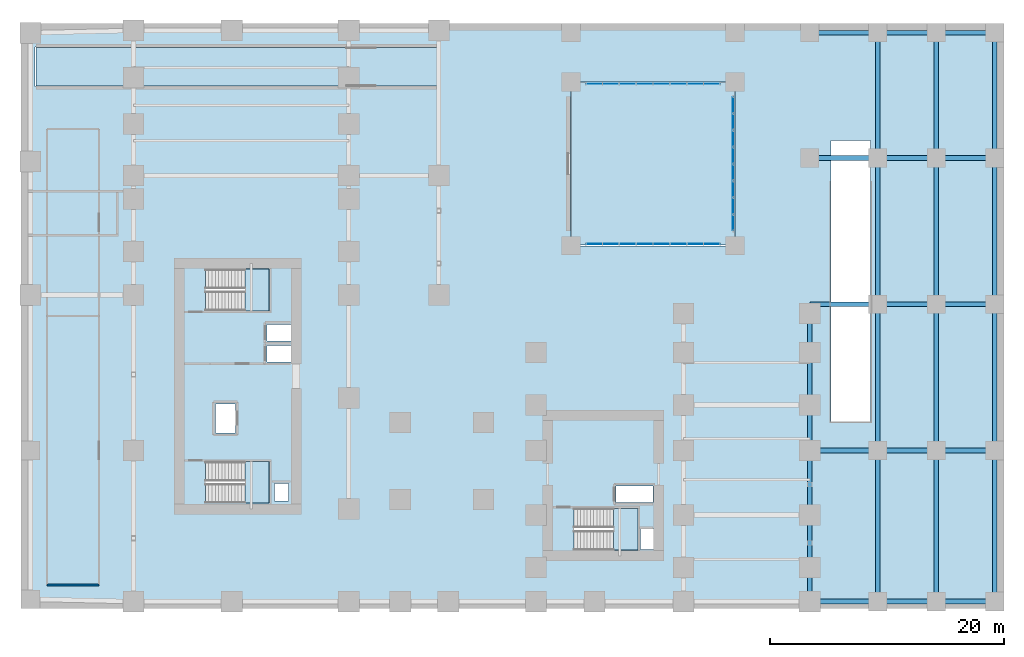
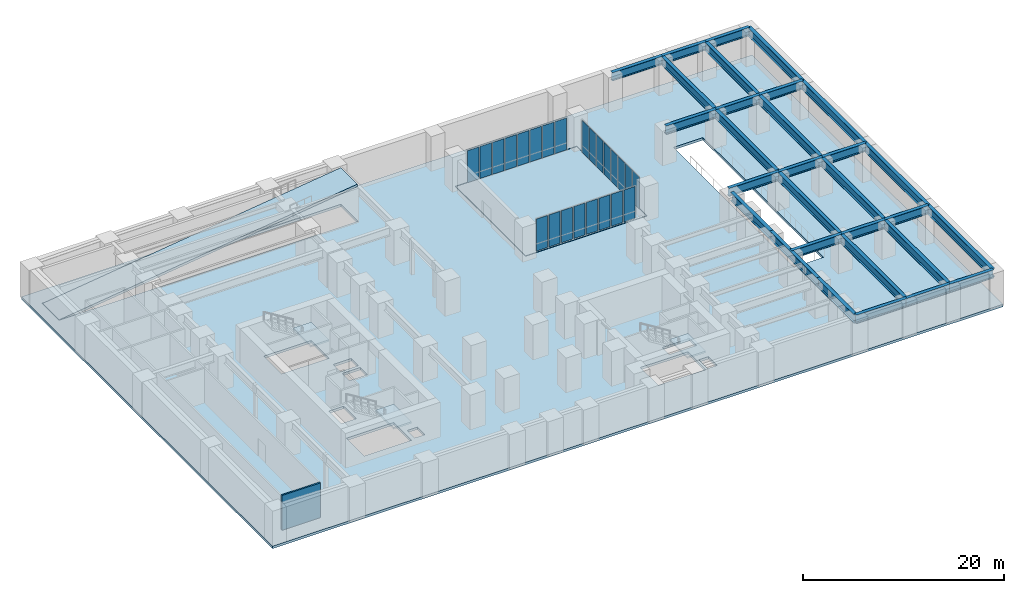
# One storey, part 12 of 18: 30 beams, 24 plates, 6 slabs, 1 wall, 6 elements without a shape of their own.
"""IFC4 building model written with IfcOpenShell, lengths in metres."""

from ifc_helpers import new_model, si_unit, direction, frame, frame_2d, origin, origin_2d, place, context, subcontext, project, spatial, polyline, rectangle, i_section, outline, extrude, source, transform, mapped, material, layer, layer_set, material_profile, profile_set, type_object, element, aggregate, save


model = new_model("IFC4")

# Units and contexts
model_context = context("Model", 3, precision=1e-05, world=origin(), true_north=direction((0.0, 1.0)))
body_context = subcontext(model_context, "Body", "Model", "MODEL_VIEW")
ifc_project = project(units=[si_unit("LENGTHUNIT", "METRE"), si_unit("AREAUNIT", "SQUARE_METRE"), si_unit("VOLUMEUNIT", "CUBIC_METRE"), si_unit("PLANEANGLEUNIT", "RADIAN"), si_unit("MASSUNIT", "GRAM", prefix="KILO")], contexts=[model_context])

# Site, building, storey
site_placement = place(None, origin())
site = spatial("IfcSite", under=ifc_project, at=site_placement, CompositionType="ELEMENT")
building_placement = place(site_placement, origin())
building = spatial("IfcBuilding", under=site, at=building_placement, Name="Kharzan Plaza Tower", CompositionType="ELEMENT")
storey_placement = place(building_placement, frame((0.0, 0.0, -4.5)))
storey = spatial("IfcBuildingStorey", under=building, at=storey_placement, Name="B01", CompositionType="ELEMENT", Elevation=-4.5)

# Beams
ifc_material_1 = material(Name="Steel S355", Category="steel")
ifc_material_profile = material_profile(ifc_material_1, i_section(OverallWidth=0.402099609375, OverallDepth=1.02099609375, WebThickness=0.02099609375, FlangeThickness=0.037109375, at=origin_2d()), Name="W1000x412")
ifc_profile_set = profile_set([ifc_material_profile], Name="Steel S355")
beam_type = type_object("IfcBeamType", Name="BM-PG1000A", PredefinedType="BEAM", material=ifc_profile_set)
shared_shape_1 = source(origin(), body_context, "Body", "SweptSolid", [
    extrude(i_section(OverallWidth=0.402099609375, OverallDepth=1.02099609375, WebThickness=0.02099609375, FlangeThickness=0.037109375, at=origin_2d()), origin(), (0.0, 0.0, 1.0), 5.800048828125),
])
for number, where, z_axis, x_axis, name in (
    (1, (58.39990234375, 0.60009765625, 3.7294921875), (1.0, 0.0, 0.0), (0.0, 1.0, 0.0), "B01 Substructure East Girder"),
    (2, (58.39990234375, 13.5, 3.7294921875), (1.0, 0.0, 0.0), (0.0, 1.0, 0.0), "B01 Substructure East Girder"),
    (3, (58.39990234375, 26.0, 3.7294921875), (1.0, 0.0, 0.0), (0.0, 1.0, 0.0), "B01 Substructure East Girder"),
    (4, (58.39990234375, 38.5, 3.7294921875), (1.0, 0.0, 0.0), (0.0, 1.0, 0.0), "B01 Substructure East Girder"),
    (5, (58.39990234375, 49.199951171875, 3.7294921875), (1.0, 0.0, 0.0), (0.0, 1.0, 0.0), "B01 Substructure East Girder"),
):
    element("IfcBeam", number, at=place(storey_placement, frame(where, z_axis=z_axis, x_axis=x_axis)), inside=storey, type_object=beam_type, Name=name, PredefinedType="BEAM", context=body_context, shape_type="MappedRepresentation", body=[
        mapped(shared_shape_1, transform((0.0, 0.0, 0.0), x_axis=(1.0, 0.0, 0.0), y_axis=(0.0, 1.0, 0.0), z_axis=(0.0, 0.0, 1.0))),
    ])
shared_shape_2 = source(origin(), body_context, "Body", "SweptSolid", [
    extrude(i_section(OverallWidth=0.402099609375, OverallDepth=1.02099609375, WebThickness=0.02099609375, FlangeThickness=0.037109375, at=origin_2d()), origin(), (0.0, 0.0, 1.0), 5.0),
])
for number, where, z_axis, x_axis, name in (
    (6, (64.199951171875, 0.60009765625, 3.7294921875), (1.0, 0.0, 0.0), (0.0, 1.0, 0.0), "B01 Substructure Forecourt Girder"),
    (7, (64.199951171875, 13.5, 3.7294921875), (1.0, 0.0, 0.0), (0.0, 1.0, 0.0), "B01 Substructure Forecourt Girder"),
    (8, (64.199951171875, 26.0, 3.7294921875), (1.0, 0.0, 0.0), (0.0, 1.0, 0.0), "B01 Substructure Forecourt Girder"),
    (9, (64.199951171875, 38.5, 3.7294921875), (1.0, 0.0, 0.0), (0.0, 1.0, 0.0), "B01 Substructure Forecourt Girder"),
    (10, (64.199951171875, 49.199951171875, 3.7294921875), (1.0, 0.0, 0.0), (0.0, 1.0, 0.0), "B01 Substructure Forecourt Girder"),
    (11, (69.199951171875, 0.60009765625, 3.7294921875), (1.0, 0.0, 0.0), (0.0, 1.0, 0.0), "B01 Substructure Forecourt Outer Girder"),
    (12, (69.199951171875, 13.5, 3.7294921875), (1.0, 0.0, 0.0), (0.0, 1.0, 0.0), "B01 Substructure Forecourt Outer Girder"),
    (13, (69.199951171875, 26.0, 3.7294921875), (1.0, 0.0, 0.0), (0.0, 1.0, 0.0), "B01 Substructure Forecourt Outer Girder"),
    (14, (69.199951171875, 38.5, 3.7294921875), (1.0, 0.0, 0.0), (0.0, 1.0, 0.0), "B01 Substructure Forecourt Outer Girder"),
    (15, (69.199951171875, 49.199951171875, 3.7294921875), (1.0, 0.0, 0.0), (0.0, 1.0, 0.0), "B01 Substructure Forecourt Outer Girder"),
):
    element("IfcBeam", number, at=place(storey_placement, frame(where, z_axis=z_axis, x_axis=x_axis)), inside=storey, type_object=beam_type, Name=name, PredefinedType="BEAM", context=body_context, shape_type="MappedRepresentation", body=[
        mapped(shared_shape_2, transform((0.0, 0.0, 0.0), x_axis=(1.0, 0.0, 0.0), y_axis=(0.0, 1.0, 0.0), z_axis=(0.0, 0.0, 1.0))),
    ])
shared_shape_3 = source(origin(), body_context, "Body", "SweptSolid", [
    extrude(i_section(OverallWidth=0.402099609375, OverallDepth=1.02099609375, WebThickness=0.02099609375, FlangeThickness=0.037109375, at=origin_2d()), origin(), (0.0, 0.0, 1.0), 12.89990234375),
])
for number, where, z_axis, x_axis, name in (
    (16, (64.199951171875, 0.60009765625, 3.7294921875), (0.0, 1.0, 0.0), (-1.0, 0.0, 0.0), "B01 Substructure Forecourt Tie Girder"),
    (17, (69.199951171875, 0.60009765625, 3.7294921875), (0.0, 1.0, 0.0), (-1.0, 0.0, 0.0), "B01 Substructure Forecourt Tie Girder"),
    (18, (74.199951171875, 0.60009765625, 3.7294921875), (0.0, 1.0, 0.0), (-1.0, 0.0, 0.0), "B01 Substructure Forecourt Tie Girder"),
):
    element("IfcBeam", number, at=place(storey_placement, frame(where, z_axis=z_axis, x_axis=x_axis)), inside=storey, type_object=beam_type, Name=name, PredefinedType="BEAM", context=body_context, shape_type="MappedRepresentation", body=[
        mapped(shared_shape_3, transform((0.0, 0.0, 0.0), x_axis=(1.0, 0.0, 0.0), y_axis=(0.0, 1.0, 0.0), z_axis=(0.0, 0.0, 1.0))),
    ])
shared_shape_4 = source(origin(), body_context, "Body", "SweptSolid", [
    extrude(i_section(OverallWidth=0.402099609375, OverallDepth=1.02099609375, WebThickness=0.02099609375, FlangeThickness=0.037109375, at=origin_2d()), origin(), (0.0, 0.0, 1.0), 12.5),
])
for number, where, z_axis, x_axis, name in (
    (19, (64.199951171875, 13.5, 3.7294921875), (0.0, 1.0, 0.0), (-1.0, 0.0, 0.0), "B01 Substructure Forecourt Tie Girder"),
    (20, (64.199951171875, 26.0, 3.7294921875), (0.0, 1.0, 0.0), (-1.0, 0.0, 0.0), "B01 Substructure Forecourt Tie Girder"),
    (21, (69.199951171875, 13.5, 3.7294921875), (0.0, 1.0, 0.0), (-1.0, 0.0, 0.0), "B01 Substructure Forecourt Tie Girder"),
    (22, (69.199951171875, 26.0, 3.7294921875), (0.0, 1.0, 0.0), (-1.0, 0.0, 0.0), "B01 Substructure Forecourt Tie Girder"),
    (23, (74.199951171875, 13.5, 3.7294921875), (0.0, 1.0, 0.0), (-1.0, 0.0, 0.0), "B01 Substructure Forecourt Tie Girder"),
    (24, (74.199951171875, 26.0, 3.7294921875), (0.0, 1.0, 0.0), (-1.0, 0.0, 0.0), "B01 Substructure Forecourt Tie Girder"),
):
    element("IfcBeam", number, at=place(storey_placement, frame(where, z_axis=z_axis, x_axis=x_axis)), inside=storey, type_object=beam_type, Name=name, PredefinedType="BEAM", context=body_context, shape_type="MappedRepresentation", body=[
        mapped(shared_shape_4, transform((0.0, 0.0, 0.0), x_axis=(1.0, 0.0, 0.0), y_axis=(0.0, 1.0, 0.0), z_axis=(0.0, 0.0, 1.0))),
    ])
shared_shape_5 = source(origin(), body_context, "Body", "SweptSolid", [
    extrude(i_section(OverallWidth=0.402099609375, OverallDepth=1.02099609375, WebThickness=0.02099609375, FlangeThickness=0.037109375, at=origin_2d()), origin(), (0.0, 0.0, 1.0), 10.699951171875),
])
for number, where, z_axis, x_axis, name in (
    (25, (64.199951171875, 38.5, 3.7294921875), (0.0, 1.0, 0.0), (-1.0, 0.0, 0.0), "B01 Substructure Forecourt Tie Girder"),
    (26, (69.199951171875, 38.5, 3.7294921875), (0.0, 1.0, 0.0), (-1.0, 0.0, 0.0), "B01 Substructure Forecourt Tie Girder"),
    (27, (74.199951171875, 38.5, 3.7294921875), (0.0, 1.0, 0.0), (-1.0, 0.0, 0.0), "B01 Substructure Forecourt Tie Girder"),
):
    element("IfcBeam", number, at=place(storey_placement, frame(where, z_axis=z_axis, x_axis=x_axis)), inside=storey, type_object=beam_type, Name=name, PredefinedType="BEAM", context=body_context, shape_type="MappedRepresentation", body=[
        mapped(shared_shape_5, transform((0.0, 0.0, 0.0), x_axis=(1.0, 0.0, 0.0), y_axis=(0.0, 1.0, 0.0), z_axis=(0.0, 0.0, 1.0))),
    ])
shared_shape_6 = source(origin(), body_context, "Body", "SweptSolid", [
    extrude(i_section(OverallWidth=0.402099609375, OverallDepth=1.02099609375, WebThickness=0.02099609375, FlangeThickness=0.037109375, at=origin_2d()), origin(), (0.0, 0.0, 1.0), 7.39990234375),
])
beam_1_placement = place(storey_placement, frame((58.39990234375, 0.60009765625, 3.7294921875), z_axis=(0.0, 1.0, 0.0), x_axis=(-1.0, 0.0, 0.0)))
element("IfcBeam", 28, at=beam_1_placement, inside=storey, type_object=beam_type, Name="B01 Podium Primary Girder PG-25", PredefinedType="BEAM", context=body_context, shape_type="MappedRepresentation", body=[
    mapped(shared_shape_6, transform((0.0, 0.0, 0.0), x_axis=(1.0, 0.0, 0.0), y_axis=(0.0, 1.0, 0.0), z_axis=(0.0, 0.0, 1.0))),
])
shared_shape_7 = source(origin(), body_context, "Body", "SweptSolid", [
    extrude(i_section(OverallWidth=0.402099609375, OverallDepth=1.02099609375, WebThickness=0.02099609375, FlangeThickness=0.037109375, at=origin_2d()), origin(), (0.0, 0.0, 1.0), 9.39990234375),
])
beam_2_placement = place(storey_placement, frame((58.39990234375, 8.0, 3.7294921875), z_axis=(0.0, 1.0, 0.0), x_axis=(-1.0, 0.0, 0.0)))
element("IfcBeam", 29, at=beam_2_placement, inside=storey, type_object=beam_type, Name="B01 Podium Primary Girder PG-26", PredefinedType="BEAM", context=body_context, shape_type="MappedRepresentation", body=[
    mapped(shared_shape_7, transform((0.0, 0.0, 0.0), x_axis=(1.0, 0.0, 0.0), y_axis=(0.0, 1.0, 0.0), z_axis=(0.0, 0.0, 1.0))),
])
shared_shape_8 = source(origin(), body_context, "Body", "SweptSolid", [
    extrude(i_section(OverallWidth=0.402099609375, OverallDepth=1.02099609375, WebThickness=0.02099609375, FlangeThickness=0.037109375, at=origin_2d()), origin(), (0.0, 0.0, 1.0), 7.800048828125),
])
beam_3_placement = place(storey_placement, frame((58.39990234375, 17.39990234375, 3.7294921875), z_axis=(0.0, 1.0, 0.0), x_axis=(-1.0, 0.0, 0.0)))
element("IfcBeam", 30, at=beam_3_placement, inside=storey, type_object=beam_type, Name="B01 Podium Primary Girder PG-27", PredefinedType="BEAM", context=body_context, shape_type="MappedRepresentation", body=[
    mapped(shared_shape_8, transform((0.0, 0.0, 0.0), x_axis=(1.0, 0.0, 0.0), y_axis=(0.0, 1.0, 0.0), z_axis=(0.0, 0.0, 1.0))),
])

# Slab
ifc_material_2 = material(Name="Concrete C40/50", Category="concrete")
ifc_layer_1 = layer(ifc_material_2, 0.300048828125)
ifc_layer_set_1 = layer_set([ifc_layer_1], Name="Concrete C40/50")
slab_type_1 = type_object("IfcSlabType", Name="SL-FLOOR-300", PredefinedType="FLOOR", material=ifc_layer_set_1)
slab_1_placement = place(storey_placement, frame((0.0, 0.0, -0.300048828125)))
element("IfcSlab", 31, at=slab_1_placement, inside=storey, type_object=slab_type_1, Name="B01 Composite Structural Floor Slab 300 mm", PredefinedType="FLOOR", context=body_context, shape_type="SweptSolid", body=[
    extrude(outline(polyline([(-9.0, 0.0), (75.0, 0.0), (75.0, 50.0), (-9.0, 50.0), (-9.0, 0.0)]), holes=[polyline([(12.199951171875, 12.550048828125), (6.75, 12.550048828125), (6.75, 9.0), (12.199951171875, 9.0), (12.199951171875, 12.550048828125)]), polyline([(9.300048828125, 15.0), (9.300048828125, 17.5), (7.60009765625, 17.5), (7.60009765625, 15.0), (9.300048828125, 15.0)]), polyline([(14.10009765625, 21.070068359375), (14.10009765625, 22.489990234375), (12.0, 22.489990234375), (12.0, 21.070068359375), (14.10009765625, 21.070068359375)]), polyline([(14.10009765625, 24.2900390625), (12.0, 24.2900390625), (12.0, 22.8701171875), (14.10009765625, 22.8701171875), (14.10009765625, 24.2900390625)]), polyline([(12.199951171875, 25.449951171875), (12.199951171875, 29.0), (6.75, 29.0), (6.75, 25.449951171875), (12.199951171875, 25.449951171875)]), polyline([(26.60009765625, 44.60009765625), (26.60009765625, 48.0), (-7.800048828125, 48.0), (-7.800048828125, 44.60009765625), (26.60009765625, 44.60009765625)]), polyline([(45.050048828125, 6.800048828125), (43.949951171875, 6.800048828125), (43.949951171875, 5.050048828125), (45.050048828125, 5.050048828125), (45.050048828125, 6.800048828125)]), polyline([(43.699951171875, 5.0), (43.699951171875, 8.550048828125), (38.25, 8.550048828125), (38.25, 5.0), (43.699951171875, 5.0)]), polyline([(45.0, 9.070068359375), (45.0, 10.469970703125), (41.85009765625, 10.469970703125), (41.85009765625, 9.070068359375), (45.0, 9.070068359375)]), polyline([(13.85009765625, 10.699951171875), (12.64990234375, 10.699951171875), (12.64990234375, 9.199951171875), (13.85009765625, 9.199951171875), (13.85009765625, 10.699951171875)]), polyline([(63.60009765625, 16.0), (63.60009765625, 40.0), (60.199951171875, 40.0), (60.199951171875, 16.0), (63.60009765625, 16.0)]), polyline([(52.0, 31.0), (52.0, 45.0), (38.0, 45.0), (38.0, 31.0), (52.0, 31.0)])]), origin(), (0.0, 0.0, 1.0), 0.300048828125),
])

# Stair, slab
stair_type_1 = type_object("IfcStairType", Name="STR-ST-1", PredefinedType="HALF_TURN_STAIR", material=ifc_material_2)
stair_1_placement = place(storey_placement, origin())
stair_1 = element("IfcStair", 32, at=stair_1_placement, inside=storey, type_object=stair_type_1, Name="B01 Protected Exit Stair ST-1", PredefinedType="HALF_TURN_STAIR")
ifc_layer_2 = layer(ifc_material_2, 0.219970703125)
ifc_layer_set_2 = layer_set([ifc_layer_2], Name="Concrete C40/50")
slab_type_2 = type_object("IfcSlabType", Name="SL-LANDING-220", PredefinedType="LANDING", material=ifc_layer_set_2)
slab_2_placement = place(storey_placement, frame((0.0, 0.0, 2.050048828125)))
slab_2 = element("IfcSlab", 33, at=slab_2_placement, type_object=slab_type_2, Name="ST-1 landing 1", PredefinedType="LANDING", context=body_context, shape_type="SweptSolid", body=[
    extrude(outline(polyline([(10.110107421875, 9.0), (12.199951171875, 9.0), (12.199951171875, 12.550048828125), (10.110107421875, 12.550048828125), (10.110107421875, 9.0)])), origin(), (0.0, 0.0, 1.0), 0.199951171875),
])
aggregate(stair_1, [slab_2])

stair_type_2 = type_object("IfcStairType", Name="STR-ST-2", PredefinedType="HALF_TURN_STAIR", material=ifc_material_2)
stair_2_placement = place(storey_placement, origin())
stair_2 = element("IfcStair", 34, at=stair_2_placement, inside=storey, type_object=stair_type_2, Name="B01 Protected Exit Stair ST-2", PredefinedType="HALF_TURN_STAIR")
slab_3_placement = place(storey_placement, frame((0.0, 0.0, 2.050048828125)))
slab_3 = element("IfcSlab", 35, at=slab_3_placement, type_object=slab_type_2, Name="ST-2 landing 1", PredefinedType="LANDING", context=body_context, shape_type="SweptSolid", body=[
    extrude(outline(polyline([(10.110107421875, 25.449951171875), (12.199951171875, 25.449951171875), (12.199951171875, 29.0), (10.110107421875, 29.0), (10.110107421875, 25.449951171875)])), origin(), (0.0, 0.0, 1.0), 0.199951171875),
])
aggregate(stair_2, [slab_3])

stair_type_3 = type_object("IfcStairType", Name="STR-ST-3", PredefinedType="HALF_TURN_STAIR", material=ifc_material_2)
stair_3_placement = place(storey_placement, origin())
stair_3 = element("IfcStair", 36, at=stair_3_placement, inside=storey, type_object=stair_type_3, Name="B01 Protected Exit Stair ST-3", PredefinedType="HALF_TURN_STAIR")
slab_4_placement = place(storey_placement, frame((0.0, 0.0, 2.050048828125)))
slab_4 = element("IfcSlab", 37, at=slab_4_placement, type_object=slab_type_2, Name="ST-3 landing 1", PredefinedType="LANDING", context=body_context, shape_type="SweptSolid", body=[
    extrude(outline(polyline([(41.610107421875, 5.0), (43.699951171875, 5.0), (43.699951171875, 8.550048828125), (41.610107421875, 8.550048828125), (41.610107421875, 5.0)])), origin(), (0.0, 0.0, 1.0), 0.199951171875),
])
aggregate(stair_3, [slab_4])

# Slabs
ifc_layer_3 = layer(ifc_material_2, 0.31005859375)
ifc_layer_set_3 = layer_set([ifc_layer_3], Name="Concrete C40/50")
slab_type_3 = type_object("IfcSlabType", Name="SL-OCULUS-310", PredefinedType="FLOOR", material=ifc_layer_set_3)
slab_5_placement = place(storey_placement, frame((0.0, 0.0, -0.31005859375)))
element("IfcSlab", 38, at=slab_5_placement, inside=storey, type_object=slab_type_3, Name="B01 Sunken Oculus Courtyard Terrace Slab", PredefinedType="FLOOR", context=body_context, shape_type="SweptSolid", body=[
    extrude(outline(polyline([(38.050048828125, 31.050048828125), (51.949951171875, 31.050048828125), (51.949951171875, 44.949951171875), (38.050048828125, 44.949951171875), (38.050048828125, 31.050048828125)])), origin(), (0.0, 0.0, 1.0), 0.31005859375),
])
ifc_layer_4 = layer(ifc_material_2, 0.300048828125)
ifc_layer_set_4 = layer_set([ifc_layer_4], Name="Concrete C40/50")
slab_type_4 = type_object("IfcSlabType", Name="SLB-VR-300", PredefinedType="FLOOR", material=ifc_layer_set_4)
slab_6_placement = place(storey_placement, frame((-7.75, 44.64990234375, 0.0), z_axis=(-0.130080441538, 0.0, 0.99150344363), x_axis=(0.99150344363, 0.0, 0.130080441538)))
element("IfcSlab", 39, at=slab_6_placement, inside=storey, type_object=slab_type_4, Name="Car Park Vehicular Ramp Structural Slab VR-B1-L00", PredefinedType="FLOOR", context=body_context, shape_type="SweptSolid", body=[
    extrude(outline(polyline([(0.0, 0.0), (34.59397851666904, 0.0), (34.59397851666904, 3.300048828125), (0.0, 3.300048828125), (0.0, 0.0)])), origin(), (0.0, 0.0, -1.0), 0.300048828125),
])

# Curtain wall, plates
ifc_material_3 = material(Name="Unitised Bronze-Anodized Aluminium and Low-E Glass", Category="aluminium")
ifc_layer_5 = layer(ifc_material_3, 0.199951171875)
ifc_layer_set_5 = layer_set([ifc_layer_5], Name="Unitised Bronze-Anodized Aluminium and Low-E Glass")
curtain_wall_type = type_object("IfcCurtainWallType", Name="CW-PLAZA-2", PredefinedType="NOTDEFINED", material=ifc_layer_set_5)
curtain_wall_1_placement = place(storey_placement, origin())
curtain_wall_1 = element("IfcCurtainWall", 40, at=curtain_wall_1_placement, inside=storey, type_object=curtain_wall_type, Name="B01 Oculus Courtyard Ring Curtain Wall E", PredefinedType="NOTDEFINED")
ifc_material_4 = material(Name="Dark Solar-Control Double Glazing", Category="glass")
ifc_layer_6 = layer(ifc_material_4, 0.031982421875)
ifc_layer_set_6 = layer_set([ifc_layer_6], Name="Dark Solar-Control Double Glazing")
plate_type = type_object("IfcPlateType", Name="PLT-CW-GLASS", PredefinedType="CURTAIN_PANEL", material=ifc_layer_set_6)
shared_shape_9 = source(origin(), body_context, "Body", "SweptSolid", [
    extrude(rectangle(XDim=1.3173828125, YDim=0.031982421875, at=origin_2d()), origin(), (0.0, 0.0, 1.0), 3.889892578125),
])
plate_1_placement = place(storey_placement, frame((51.85009765625, 32.96875, 0.080078125), z_axis=(0.0, 0.0, 1.0), x_axis=(0.0, 1.0, 0.0)))
plate_1 = element("IfcPlate", 41, at=plate_1_placement, type_object=plate_type, Name="B01 Curtain-Wall Glazed Panel 00", PredefinedType="CURTAIN_PANEL", context=body_context, shape_type="MappedRepresentation", body=[
    mapped(shared_shape_9, transform((0.0, 0.0, 0.0), x_axis=(1.0, 0.0, 0.0), y_axis=(0.0, 1.0, 0.0), z_axis=(0.0, 0.0, 1.0))),
])
plate_2_placement = place(storey_placement, frame((51.85009765625, 34.40625, 0.080078125), z_axis=(0.0, 0.0, 1.0), x_axis=(0.0, 1.0, 0.0)))
plate_2 = element("IfcPlate", 42, at=plate_2_placement, type_object=plate_type, Name="B01 Curtain-Wall Glazed Panel 01", PredefinedType="CURTAIN_PANEL", context=body_context, shape_type="MappedRepresentation", body=[
    mapped(shared_shape_9, transform((0.0, 0.0, 0.0), x_axis=(1.0, 0.0, 0.0), y_axis=(0.0, 1.0, 0.0), z_axis=(0.0, 0.0, 1.0))),
])
plate_3_placement = place(storey_placement, frame((51.85009765625, 35.84375, 0.080078125), z_axis=(0.0, 0.0, 1.0), x_axis=(0.0, 1.0, 0.0)))
plate_3 = element("IfcPlate", 43, at=plate_3_placement, type_object=plate_type, Name="B01 Curtain-Wall Glazed Panel 02", PredefinedType="CURTAIN_PANEL", context=body_context, shape_type="MappedRepresentation", body=[
    mapped(shared_shape_9, transform((0.0, 0.0, 0.0), x_axis=(1.0, 0.0, 0.0), y_axis=(0.0, 1.0, 0.0), z_axis=(0.0, 0.0, 1.0))),
])
plate_4_placement = place(storey_placement, frame((51.85009765625, 37.28125, 0.080078125), z_axis=(0.0, 0.0, 1.0), x_axis=(0.0, 1.0, 0.0)))
plate_4 = element("IfcPlate", 44, at=plate_4_placement, type_object=plate_type, Name="B01 Curtain-Wall Glazed Panel 03", PredefinedType="CURTAIN_PANEL", context=body_context, shape_type="MappedRepresentation", body=[
    mapped(shared_shape_9, transform((0.0, 0.0, 0.0), x_axis=(1.0, 0.0, 0.0), y_axis=(0.0, 1.0, 0.0), z_axis=(0.0, 0.0, 1.0))),
])
plate_5_placement = place(storey_placement, frame((51.85009765625, 38.71875, 0.080078125), z_axis=(0.0, 0.0, 1.0), x_axis=(0.0, 1.0, 0.0)))
plate_5 = element("IfcPlate", 45, at=plate_5_placement, type_object=plate_type, Name="B01 Curtain-Wall Glazed Panel 04", PredefinedType="CURTAIN_PANEL", context=body_context, shape_type="MappedRepresentation", body=[
    mapped(shared_shape_9, transform((0.0, 0.0, 0.0), x_axis=(1.0, 0.0, 0.0), y_axis=(0.0, 1.0, 0.0), z_axis=(0.0, 0.0, 1.0))),
])
plate_6_placement = place(storey_placement, frame((51.85009765625, 40.15625, 0.080078125), z_axis=(0.0, 0.0, 1.0), x_axis=(0.0, 1.0, 0.0)))
plate_6 = element("IfcPlate", 46, at=plate_6_placement, type_object=plate_type, Name="B01 Curtain-Wall Glazed Panel 05", PredefinedType="CURTAIN_PANEL", context=body_context, shape_type="MappedRepresentation", body=[
    mapped(shared_shape_9, transform((0.0, 0.0, 0.0), x_axis=(1.0, 0.0, 0.0), y_axis=(0.0, 1.0, 0.0), z_axis=(0.0, 0.0, 1.0))),
])
plate_7_placement = place(storey_placement, frame((51.85009765625, 41.59375, 0.080078125), z_axis=(0.0, 0.0, 1.0), x_axis=(0.0, 1.0, 0.0)))
plate_7 = element("IfcPlate", 47, at=plate_7_placement, type_object=plate_type, Name="B01 Curtain-Wall Glazed Panel 06", PredefinedType="CURTAIN_PANEL", context=body_context, shape_type="MappedRepresentation", body=[
    mapped(shared_shape_9, transform((0.0, 0.0, 0.0), x_axis=(1.0, 0.0, 0.0), y_axis=(0.0, 1.0, 0.0), z_axis=(0.0, 0.0, 1.0))),
])
plate_8_placement = place(storey_placement, frame((51.85009765625, 43.03125, 0.080078125), z_axis=(0.0, 0.0, 1.0), x_axis=(0.0, 1.0, 0.0)))
plate_8 = element("IfcPlate", 48, at=plate_8_placement, type_object=plate_type, Name="B01 Curtain-Wall Glazed Panel 07", PredefinedType="CURTAIN_PANEL", context=body_context, shape_type="MappedRepresentation", body=[
    mapped(shared_shape_9, transform((0.0, 0.0, 0.0), x_axis=(1.0, 0.0, 0.0), y_axis=(0.0, 1.0, 0.0), z_axis=(0.0, 0.0, 1.0))),
])
aggregate(curtain_wall_1, [plate_1, plate_2, plate_3, plate_4, plate_5, plate_6, plate_7, plate_8])

curtain_wall_2_placement = place(storey_placement, origin())
curtain_wall_2 = element("IfcCurtainWall", 49, at=curtain_wall_2_placement, inside=storey, type_object=curtain_wall_type, Name="B01 Oculus Courtyard Ring Curtain Wall N", PredefinedType="NOTDEFINED")
plate_9_placement = place(storey_placement, frame((50.03125, 44.85009765625, 0.080078125), z_axis=(0.0, 0.0, 1.0), x_axis=(-1.0, 0.0, 0.0)))
plate_9 = element("IfcPlate", 50, at=plate_9_placement, type_object=plate_type, Name="B01 Curtain-Wall Glazed Panel 00", PredefinedType="CURTAIN_PANEL", context=body_context, shape_type="MappedRepresentation", body=[
    mapped(shared_shape_9, transform((0.0, 0.0, 0.0), x_axis=(1.0, 0.0, 0.0), y_axis=(0.0, 1.0, 0.0), z_axis=(0.0, 0.0, 1.0))),
])
plate_10_placement = place(storey_placement, frame((48.59375, 44.85009765625, 0.080078125), z_axis=(0.0, 0.0, 1.0), x_axis=(-1.0, 0.0, 0.0)))
plate_10 = element("IfcPlate", 51, at=plate_10_placement, type_object=plate_type, Name="B01 Curtain-Wall Glazed Panel 01", PredefinedType="CURTAIN_PANEL", context=body_context, shape_type="MappedRepresentation", body=[
    mapped(shared_shape_9, transform((0.0, 0.0, 0.0), x_axis=(1.0, 0.0, 0.0), y_axis=(0.0, 1.0, 0.0), z_axis=(0.0, 0.0, 1.0))),
])
plate_11_placement = place(storey_placement, frame((47.15625, 44.85009765625, 0.080078125), z_axis=(0.0, 0.0, 1.0), x_axis=(-1.0, 0.0, 0.0)))
plate_11 = element("IfcPlate", 52, at=plate_11_placement, type_object=plate_type, Name="B01 Curtain-Wall Glazed Panel 02", PredefinedType="CURTAIN_PANEL", context=body_context, shape_type="MappedRepresentation", body=[
    mapped(shared_shape_9, transform((0.0, 0.0, 0.0), x_axis=(1.0, 0.0, 0.0), y_axis=(0.0, 1.0, 0.0), z_axis=(0.0, 0.0, 1.0))),
])
plate_12_placement = place(storey_placement, frame((45.71875, 44.85009765625, 0.080078125), z_axis=(0.0, 0.0, 1.0), x_axis=(-1.0, 0.0, 0.0)))
plate_12 = element("IfcPlate", 53, at=plate_12_placement, type_object=plate_type, Name="B01 Curtain-Wall Glazed Panel 03", PredefinedType="CURTAIN_PANEL", context=body_context, shape_type="MappedRepresentation", body=[
    mapped(shared_shape_9, transform((0.0, 0.0, 0.0), x_axis=(1.0, 0.0, 0.0), y_axis=(0.0, 1.0, 0.0), z_axis=(0.0, 0.0, 1.0))),
])
plate_13_placement = place(storey_placement, frame((44.28125, 44.85009765625, 0.080078125), z_axis=(0.0, 0.0, 1.0), x_axis=(-1.0, 0.0, 0.0)))
plate_13 = element("IfcPlate", 54, at=plate_13_placement, type_object=plate_type, Name="B01 Curtain-Wall Glazed Panel 04", PredefinedType="CURTAIN_PANEL", context=body_context, shape_type="MappedRepresentation", body=[
    mapped(shared_shape_9, transform((0.0, 0.0, 0.0), x_axis=(1.0, 0.0, 0.0), y_axis=(0.0, 1.0, 0.0), z_axis=(0.0, 0.0, 1.0))),
])
plate_14_placement = place(storey_placement, frame((42.84375, 44.85009765625, 0.080078125), z_axis=(0.0, 0.0, 1.0), x_axis=(-1.0, 0.0, 0.0)))
plate_14 = element("IfcPlate", 55, at=plate_14_placement, type_object=plate_type, Name="B01 Curtain-Wall Glazed Panel 05", PredefinedType="CURTAIN_PANEL", context=body_context, shape_type="MappedRepresentation", body=[
    mapped(shared_shape_9, transform((0.0, 0.0, 0.0), x_axis=(1.0, 0.0, 0.0), y_axis=(0.0, 1.0, 0.0), z_axis=(0.0, 0.0, 1.0))),
])
plate_15_placement = place(storey_placement, frame((41.40625, 44.85009765625, 0.080078125), z_axis=(0.0, 0.0, 1.0), x_axis=(-1.0, 0.0, 0.0)))
plate_15 = element("IfcPlate", 56, at=plate_15_placement, type_object=plate_type, Name="B01 Curtain-Wall Glazed Panel 06", PredefinedType="CURTAIN_PANEL", context=body_context, shape_type="MappedRepresentation", body=[
    mapped(shared_shape_9, transform((0.0, 0.0, 0.0), x_axis=(1.0, 0.0, 0.0), y_axis=(0.0, 1.0, 0.0), z_axis=(0.0, 0.0, 1.0))),
])
plate_16_placement = place(storey_placement, frame((39.96875, 44.85009765625, 0.080078125), z_axis=(0.0, 0.0, 1.0), x_axis=(-1.0, 0.0, 0.0)))
plate_16 = element("IfcPlate", 57, at=plate_16_placement, type_object=plate_type, Name="B01 Curtain-Wall Glazed Panel 07", PredefinedType="CURTAIN_PANEL", context=body_context, shape_type="MappedRepresentation", body=[
    mapped(shared_shape_9, transform((0.0, 0.0, 0.0), x_axis=(1.0, 0.0, 0.0), y_axis=(0.0, 1.0, 0.0), z_axis=(0.0, 0.0, 1.0))),
])
aggregate(curtain_wall_2, [plate_9, plate_10, plate_11, plate_12, plate_13, plate_14, plate_15, plate_16])

curtain_wall_3_placement = place(storey_placement, origin())
curtain_wall_3 = element("IfcCurtainWall", 58, at=curtain_wall_3_placement, inside=storey, type_object=curtain_wall_type, Name="B01 Oculus Courtyard Ring Curtain Wall S", PredefinedType="NOTDEFINED")
plate_17_placement = place(storey_placement, frame((39.96875, 31.14990234375, 0.080078125), z_axis=(0.0, 0.0, 1.0), x_axis=(1.0, 0.0, 0.0)))
plate_17 = element("IfcPlate", 59, at=plate_17_placement, type_object=plate_type, Name="B01 Curtain-Wall Glazed Panel 00", PredefinedType="CURTAIN_PANEL", context=body_context, shape_type="MappedRepresentation", body=[
    mapped(shared_shape_9, transform((0.0, 0.0, 0.0), x_axis=(1.0, 0.0, 0.0), y_axis=(0.0, 1.0, 0.0), z_axis=(0.0, 0.0, 1.0))),
])
plate_18_placement = place(storey_placement, frame((41.40625, 31.14990234375, 0.080078125), z_axis=(0.0, 0.0, 1.0), x_axis=(1.0, 0.0, 0.0)))
plate_18 = element("IfcPlate", 60, at=plate_18_placement, type_object=plate_type, Name="B01 Curtain-Wall Glazed Panel 01", PredefinedType="CURTAIN_PANEL", context=body_context, shape_type="MappedRepresentation", body=[
    mapped(shared_shape_9, transform((0.0, 0.0, 0.0), x_axis=(1.0, 0.0, 0.0), y_axis=(0.0, 1.0, 0.0), z_axis=(0.0, 0.0, 1.0))),
])
plate_19_placement = place(storey_placement, frame((42.84375, 31.14990234375, 0.080078125), z_axis=(0.0, 0.0, 1.0), x_axis=(1.0, 0.0, 0.0)))
plate_19 = element("IfcPlate", 61, at=plate_19_placement, type_object=plate_type, Name="B01 Curtain-Wall Glazed Panel 02", PredefinedType="CURTAIN_PANEL", context=body_context, shape_type="MappedRepresentation", body=[
    mapped(shared_shape_9, transform((0.0, 0.0, 0.0), x_axis=(1.0, 0.0, 0.0), y_axis=(0.0, 1.0, 0.0), z_axis=(0.0, 0.0, 1.0))),
])
plate_20_placement = place(storey_placement, frame((44.28125, 31.14990234375, 0.080078125), z_axis=(0.0, 0.0, 1.0), x_axis=(1.0, 0.0, 0.0)))
plate_20 = element("IfcPlate", 62, at=plate_20_placement, type_object=plate_type, Name="B01 Curtain-Wall Glazed Panel 03", PredefinedType="CURTAIN_PANEL", context=body_context, shape_type="MappedRepresentation", body=[
    mapped(shared_shape_9, transform((0.0, 0.0, 0.0), x_axis=(1.0, 0.0, 0.0), y_axis=(0.0, 1.0, 0.0), z_axis=(0.0, 0.0, 1.0))),
])
plate_21_placement = place(storey_placement, frame((45.71875, 31.14990234375, 0.080078125), z_axis=(0.0, 0.0, 1.0), x_axis=(1.0, 0.0, 0.0)))
plate_21 = element("IfcPlate", 63, at=plate_21_placement, type_object=plate_type, Name="B01 Curtain-Wall Glazed Panel 04", PredefinedType="CURTAIN_PANEL", context=body_context, shape_type="MappedRepresentation", body=[
    mapped(shared_shape_9, transform((0.0, 0.0, 0.0), x_axis=(1.0, 0.0, 0.0), y_axis=(0.0, 1.0, 0.0), z_axis=(0.0, 0.0, 1.0))),
])
plate_22_placement = place(storey_placement, frame((47.15625, 31.14990234375, 0.080078125), z_axis=(0.0, 0.0, 1.0), x_axis=(1.0, 0.0, 0.0)))
plate_22 = element("IfcPlate", 64, at=plate_22_placement, type_object=plate_type, Name="B01 Curtain-Wall Glazed Panel 05", PredefinedType="CURTAIN_PANEL", context=body_context, shape_type="MappedRepresentation", body=[
    mapped(shared_shape_9, transform((0.0, 0.0, 0.0), x_axis=(1.0, 0.0, 0.0), y_axis=(0.0, 1.0, 0.0), z_axis=(0.0, 0.0, 1.0))),
])
plate_23_placement = place(storey_placement, frame((48.59375, 31.14990234375, 0.080078125), z_axis=(0.0, 0.0, 1.0), x_axis=(1.0, 0.0, 0.0)))
plate_23 = element("IfcPlate", 65, at=plate_23_placement, type_object=plate_type, Name="B01 Curtain-Wall Glazed Panel 06", PredefinedType="CURTAIN_PANEL", context=body_context, shape_type="MappedRepresentation", body=[
    mapped(shared_shape_9, transform((0.0, 0.0, 0.0), x_axis=(1.0, 0.0, 0.0), y_axis=(0.0, 1.0, 0.0), z_axis=(0.0, 0.0, 1.0))),
])
plate_24_placement = place(storey_placement, frame((50.03125, 31.14990234375, 0.080078125), z_axis=(0.0, 0.0, 1.0), x_axis=(1.0, 0.0, 0.0)))
plate_24 = element("IfcPlate", 66, at=plate_24_placement, type_object=plate_type, Name="B01 Curtain-Wall Glazed Panel 07", PredefinedType="CURTAIN_PANEL", context=body_context, shape_type="MappedRepresentation", body=[
    mapped(shared_shape_9, transform((0.0, 0.0, 0.0), x_axis=(1.0, 0.0, 0.0), y_axis=(0.0, 1.0, 0.0), z_axis=(0.0, 0.0, 1.0))),
])
aggregate(curtain_wall_3, [plate_17, plate_18, plate_19, plate_20, plate_21, plate_22, plate_23, plate_24])

# Wall
ifc_layer_7 = layer(ifc_material_2, 0.179931640625)
ifc_layer_set_7 = layer_set([ifc_layer_7], Name="Concrete C40/50")
wall_type = type_object("IfcWallType", Name="WL-INT-FIRE-180", PredefinedType="PARTITIONING", material=ifc_layer_set_7)
shared_shape_10 = source(origin(), body_context, "Body", "SweptSolid", [
    extrude(rectangle(XDim=4.449951171875, YDim=0.179931640625, at=frame_2d((2.22509765625, 0.0))), origin(), (0.0, 0.0, 1.0), 4.22509765625),
])
wall_placement = place(storey_placement, frame((-6.800048828125, 2.0, 0.0), z_axis=(0.0, 0.0, 1.0), x_axis=(1.0, 0.0, 0.0)))
element("IfcWall", 67, at=wall_placement, inside=storey, type_object=wall_type, Name="B01 Interior Partition B01-PS0", PredefinedType="PARTITIONING", context=body_context, shape_type="MappedRepresentation", body=[
    mapped(shared_shape_10, transform((0.0, 0.0, 0.0), x_axis=(1.0, 0.0, 0.0), y_axis=(0.0, 1.0, 0.0), z_axis=(0.0, 0.0, 1.0))),
])

save(model, "model.ifc")
